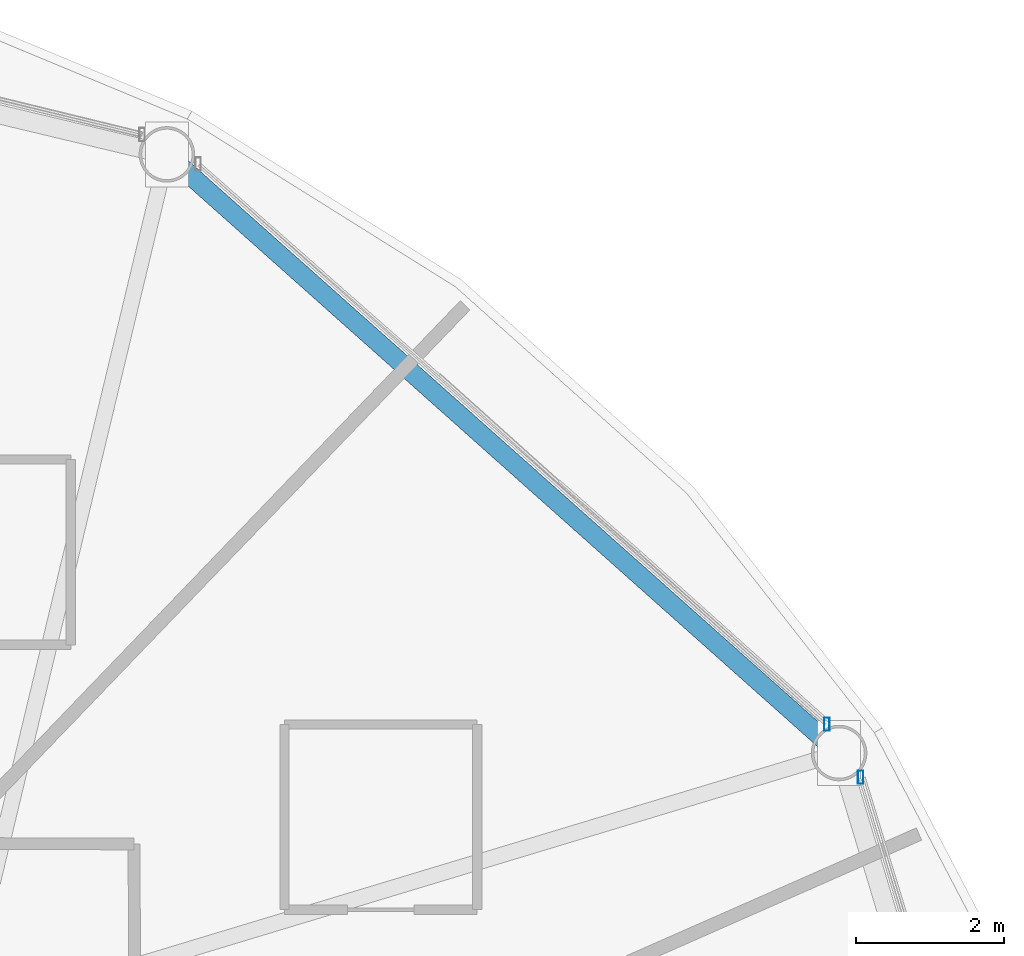
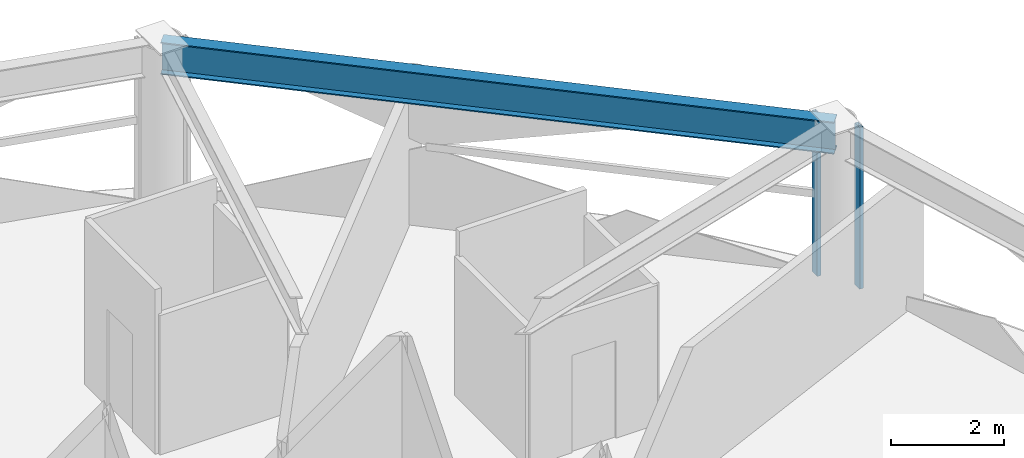
# One storey, part 19 of 30: 2 members, 1 beam, 2 elements without a shape of their own.
"""IFC4 building model written with IfcOpenShell, lengths in metres."""

from ifc_helpers import new_model, si_unit, direction, frame, origin, origin_2d, place, context, subcontext, project, spatial, hollow_rectangle, i_section, extrude, material, layer, layer_set, material_profile, profile_set, type_object, element, aggregate, save


model = new_model("IFC4")

# Units and contexts
model_context = context("Model", 3, precision=1e-05, world=origin(), true_north=direction((0.0, 1.0)))
body_context = subcontext(model_context, "Body", "Model", "MODEL_VIEW")
ifc_project = project(units=[si_unit("LENGTHUNIT", "METRE"), si_unit("AREAUNIT", "SQUARE_METRE"), si_unit("VOLUMEUNIT", "CUBIC_METRE"), si_unit("PLANEANGLEUNIT", "RADIAN"), si_unit("MASSUNIT", "GRAM", prefix="KILO")], contexts=[model_context])

# Site, building, storey
site_placement = place(None, origin())
site = spatial("IfcSite", under=ifc_project, at=site_placement, CompositionType="ELEMENT")
building_placement = place(site_placement, origin())
building = spatial("IfcBuilding", under=site, at=building_placement, Name="Vantalir Tower", CompositionType="ELEMENT")
storey_placement = place(building_placement, frame((0.0, 0.0, 153.449951171875)))
storey = spatial("IfcBuildingStorey", under=building, at=storey_placement, Name="L38", CompositionType="ELEMENT", Elevation=153.449951171875)

# Beam
ifc_material_1 = material(Name="Steel S460", Category="steel")
ifc_material_profile_1 = material_profile(ifc_material_1, i_section(OverallWidth=0.256103515625, OverallDepth=0.693115234375, WebThickness=0.014404296875, FlangeThickness=0.023681640625, at=origin_2d()), Name="Steel S460")
ifc_profile_set_1 = profile_set([ifc_material_profile_1], Name="Steel S460")
beam_type = type_object("IfcBeamType", Name="BM-RG-686x254", PredefinedType="USERDEFINED", material=ifc_profile_set_1)
beam_placement = place(storey_placement, frame((52.962890625, 36.033935546875, 3.22412109375), z_axis=(-0.746787977639, 0.665062189915, 0.0), x_axis=(-0.665062189915, -0.746787977639, 0.0)))
element("IfcBeam", 1, at=beam_placement, inside=storey, type_object=beam_type, Name="L38 Circumferential Ring Girder 02", ObjectType="GIRDER", PredefinedType="USERDEFINED", context=body_context, shape_type="SweptSolid", body=[
    extrude(i_section(OverallWidth=0.256103515625, OverallDepth=0.693115234375, WebThickness=0.014404296875, FlangeThickness=0.023681640625, at=origin_2d()), origin(), (0.0, 0.0, 1.0), 12.146484375),
])

# Curtain wall, member
ifc_material_2 = material(Name="Champagne-silver PVDF aluminium and double-silver Low-E glass", Category="aluminium")
ifc_layer = layer(ifc_material_2, 0.199951171875)
ifc_layer_set = layer_set([ifc_layer], Name="Champagne-silver PVDF aluminium and double-silver Low-E glass")
curtain_wall_type = type_object("IfcCurtainWallType", Name="CW-DIAMOND-Z2", PredefinedType="USERDEFINED", material=ifc_layer_set)
curtain_wall_1_placement = place(storey_placement, origin())
curtain_wall_1 = element("IfcCurtainWall", 2, at=curtain_wall_1_placement, inside=storey, type_object=curtain_wall_type, Name="L38 Quilted Pyramid-Diamond Curtain Wall S01", ObjectType="UNITISED CURTAIN WALL", PredefinedType="USERDEFINED")
ifc_material_3 = material(Name="Champagne-silver PVDF aluminium 6063-T6", Category="aluminium")
ifc_material_profile_2 = material_profile(ifc_material_3, hollow_rectangle(XDim=0.074951171875, YDim=0.179931640625, WallThickness=0.00390625, at=origin_2d()), Name="Champagne-silver PVDF aluminium 6063-T6")
ifc_profile_set_2 = profile_set([ifc_material_profile_2], Name="Champagne-silver PVDF aluminium 6063-T6")
member_type = type_object("IfcMemberType", Name="CWM-180x75", PredefinedType="MULLION", material=ifc_profile_set_2)
member_1_placement = place(storey_placement, frame((53.25390625, 35.7080078125, 0.045166015625), z_axis=(0.0, 0.0, 1.0), x_axis=(1.0, 0.0, 0.0)))
member_1 = element("IfcMember", 3, at=member_1_placement, type_object=member_type, Name="CW-L38-S01 Mullion 2", PredefinedType="MULLION", context=body_context, shape_type="SweptSolid", body=[
    extrude(hollow_rectangle(XDim=0.074951171875, YDim=0.179931640625, WallThickness=0.00390625, at=origin_2d()), origin(), (0.0, 0.0, 1.0), 3.47998046875),
])
aggregate(curtain_wall_1, [member_1])

curtain_wall_2_placement = place(storey_placement, origin())
curtain_wall_2 = element("IfcCurtainWall", 4, at=curtain_wall_2_placement, inside=storey, type_object=curtain_wall_type, Name="L38 Quilted Pyramid-Diamond Curtain Wall S02", ObjectType="UNITISED CURTAIN WALL", PredefinedType="USERDEFINED")
member_2_placement = place(storey_placement, frame((52.799072265625, 36.422119140625, 0.045166015625), z_axis=(0.0, 0.0, 1.0), x_axis=(1.0, 0.0, 0.0)))
member_2 = element("IfcMember", 5, at=member_2_placement, type_object=member_type, Name="CW-L38-S02 Mullion 1", PredefinedType="MULLION", context=body_context, shape_type="SweptSolid", body=[
    extrude(hollow_rectangle(XDim=0.074951171875, YDim=0.179931640625, WallThickness=0.00390625, at=origin_2d()), origin(), (0.0, 0.0, 1.0), 3.47998046875),
])
aggregate(curtain_wall_2, [member_2])

save(model, "model.ifc")
